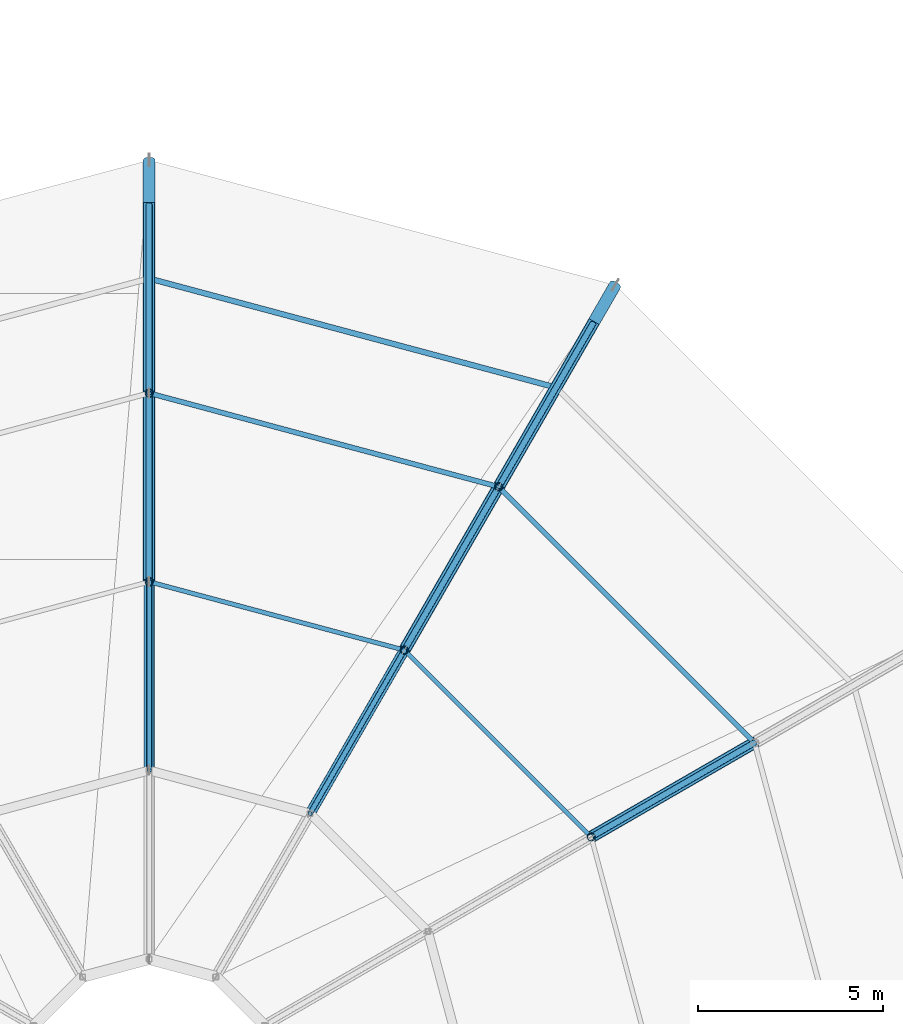
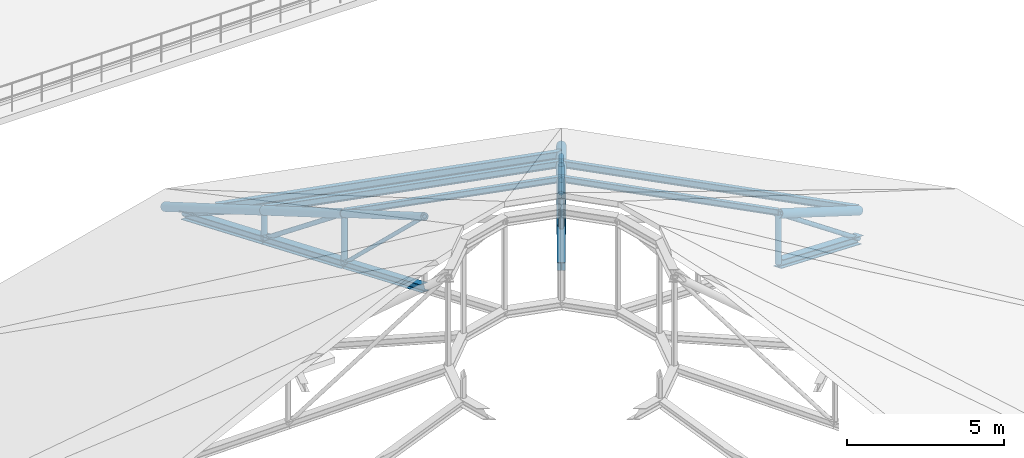
# One storey, part 25 of 58: 31 members.
"""IFC4 building model written with IfcOpenShell, lengths in metres."""

import ifcopenshell
import ifcopenshell.guid

model = None  # the IFC model being written
_history = None  # IfcOwnerHistory: only IFC2X3 demands one
_inside = {}  # id of a spatial element -> (the spatial element, [elements in it])
_under = {}  # id of a project, library or spatial element -> (it, [spatial elements below it])
_declared = {}  # id of a project -> (the project, [libraries it declares])
_typed = {}  # id of a type object -> (the type object, [elements of that type])
_made_of = {}  # id of a material, layer set ... -> (it, [elements and type objects made of it])


def new_model(schema):
    """Start an empty IFC model of exactly this schema.

    Asked for "IFC4X3", IfcOpenShell would pick the latest addendum, in which some entities
    have other attributes; the version numbers below select the first issue.
    IFC2X3 requires an IfcOwnerHistory on every rooted entity: one is made here for all.
    """
    global model, _history
    if schema == "IFC4X3":
        model = ifcopenshell.file(schema_version=(4, 3, 0, 0))
    else:
        model = ifcopenshell.file(schema=schema)
    _inside.clear()
    _under.clear()
    _declared.clear()
    _typed.clear()
    _made_of.clear()
    _history = None
    if model.schema == "IFC2X3":
        org = make("IfcOrganization", Name="unknown")
        user = make(
            "IfcPersonAndOrganization",
            ThePerson=make("IfcPerson", FamilyName="unknown"),
            TheOrganization=org,
        )
        app = make(
            "IfcApplication",
            ApplicationDeveloper=org,
            Version="unknown",
            ApplicationFullName="unknown",
            ApplicationIdentifier="unknown",
        )
        _history = make(
            "IfcOwnerHistory",
            OwningUser=user,
            OwningApplication=app,
            ChangeAction="ADDED",
            CreationDate=0,
        )
    return model


def make(cls, **values):
    """One entity of the class cls with the attributes given. An attribute that is None is left unset."""
    return model.create_entity(
        cls, **{name: value for name, value in values.items() if value is not None}
    )


def rooted(cls, **values):
    """An entity with a GlobalId (a new one), such as an element, a storey or a relation."""
    return make(cls, GlobalId=ifcopenshell.guid.new(), OwnerHistory=_history, **values)


def si_unit(unit_type, name, prefix=None):
    """IfcSIUnit, for example si_unit("LENGTHUNIT", "METRE", prefix="MILLI")."""
    return make("IfcSIUnit", UnitType=unit_type, Prefix=prefix, Name=name)


def derived_unit(unit_type, elements):
    """IfcDerivedUnit: a product of units, each with its exponent."""
    return make(
        "IfcDerivedUnit",
        Elements=[
            make("IfcDerivedUnitElement", Unit=unit, Exponent=power)
            for unit, power in elements
        ],
        UnitType=unit_type,
    )


def assignment(units):
    """IfcUnitAssignment: the units of a project."""
    return None if units is None else make("IfcUnitAssignment", Units=units)


def point(xyz):
    """IfcCartesianPoint."""
    return None if xyz is None else make("IfcCartesianPoint", Coordinates=xyz)


def direction(xyz):
    """IfcDirection."""
    return None if xyz is None else make("IfcDirection", DirectionRatios=xyz)


def frame(location, z_axis=None, x_axis=None):
    """IfcAxis2Placement3D, a coordinate frame: its origin and axes. An axis left out is left unset."""
    return make(
        "IfcAxis2Placement3D",
        Location=point(location),
        Axis=direction(z_axis),
        RefDirection=direction(x_axis),
    )


def frame_2d(location, x_axis=None):
    """IfcAxis2Placement2D, a coordinate frame in the plane: its origin and x axis."""
    return make(
        "IfcAxis2Placement2D", Location=point(location), RefDirection=direction(x_axis)
    )


def origin():
    """The frame at (0, 0, 0) with its axes left unset."""
    return frame((0.0, 0.0, 0.0))


def origin_2d():
    """The frame at (0, 0) in the plane with its x axis left unset."""
    return frame_2d((0.0, 0.0))


def place(relative_to, where):
    """IfcLocalPlacement: puts the frame where relative to a parent placement (None: the world)."""
    return make(
        "IfcLocalPlacement", PlacementRelTo=relative_to, RelativePlacement=where
    )


def context(
    kind, dimensions, precision=None, world=None, true_north=None, identifier=None
):
    """IfcGeometricRepresentationContext, for example the 3D "Model" context."""
    return make(
        "IfcGeometricRepresentationContext",
        ContextIdentifier=identifier,
        ContextType=kind,
        CoordinateSpaceDimension=dimensions,
        Precision=precision,
        WorldCoordinateSystem=world,
        TrueNorth=true_north,
    )


def subcontext(parent, identifier, kind, view, scale=None):
    """IfcGeometricRepresentationSubContext, for example "Body" below "Model"."""
    return make(
        "IfcGeometricRepresentationSubContext",
        ContextIdentifier=identifier,
        ContextType=kind,
        ParentContext=parent,
        TargetScale=scale,
        TargetView=view,
    )


def project(units=None, contexts=None):
    """IfcProject with its units and contexts."""
    return rooted(
        "IfcProject",
        Name="project",
        RepresentationContexts=contexts,
        UnitsInContext=assignment(units),
    )


def spatial(cls, under=None, at=None, **own):
    """A site, building, storey or space (cls), placed at a placement, below another one or the project."""
    s = rooted(cls, ObjectPlacement=at, **own)
    if under is not None:
        _under.setdefault(under.id(), (under, []))[1].append(s)
    return s


def profile(cls, at=None, kind="AREA", **sizes):
    """A parametric profile (cls). Its sizes go by their IFC names, for example OverallWidth=200.0."""
    return make(cls, ProfileType=kind, Position=at, **sizes)


def hollow_circle(**sizes):
    """IfcCircleHollowProfileDef."""
    return profile("IfcCircleHollowProfileDef", **sizes)


def i_section(**sizes):
    """IfcIShapeProfileDef."""
    return profile("IfcIShapeProfileDef", **sizes)


def extrude(swept, where, along, depth):
    """IfcExtrudedAreaSolid: the profile swept, set in the frame where, extruded along a direction by depth."""
    return make(
        "IfcExtrudedAreaSolid",
        SweptArea=swept,
        Position=where,
        ExtrudedDirection=direction(along),
        Depth=depth,
    )


def shape(context_of_items, identifier, shape_type, items):
    """IfcShapeRepresentation: the items that make up one representation, for example the "Body"."""
    return make(
        "IfcShapeRepresentation",
        ContextOfItems=context_of_items,
        RepresentationIdentifier=identifier,
        RepresentationType=shape_type,
        Items=items,
    )


def material(Name=None, Category=None):
    """IfcMaterial."""
    return make("IfcMaterial", Name=Name, Category=Category)


def material_profile(
    of_material, cross_section, Name=None, Category=None, Priority=None
):
    """IfcMaterialProfile: a cross section and its material."""
    return make(
        "IfcMaterialProfile",
        Name=Name,
        Material=of_material,
        Profile=cross_section,
        Priority=Priority,
        Category=Category,
    )


def profile_set(profiles, Name=None, composite=None):
    """IfcMaterialProfileSet."""
    return make(
        "IfcMaterialProfileSet",
        Name=Name,
        MaterialProfiles=profiles,
        CompositeProfile=composite,
    )


def made_of(thing, what):
    """Note that an element or type object is made of a material, layer set ...; save() writes the relation."""
    if what is not None:
        _made_of.setdefault(what.id(), (what, []))[1].append(thing)
    return thing


def type_object(cls, material=None, **own):
    """A type object (cls), such as IfcWallType, which elements share."""
    return made_of(rooted(cls, **own), material)


def element(
    cls,
    number,
    at=None,
    inside=None,
    cuts=None,
    type_object=None,
    material=None,
    context=None,
    identifier="Body",
    shape_type=None,
    held_by="IfcProductDefinitionShape",
    body=None,
    shapes=None,
    **own,
):
    """One element of the class cls, such as IfcWall. Its Tag is "e" and its number.

    at: its placement. inside: the storey or other place that contains it. cuts: it is an
    opening in that element (IfcRelVoidsElement). A single representation is given by context,
    identifier, shape_type and body (its items); several are given by shapes. held_by: the class
    of the entity that holds the representations. save() writes the other relations.
    """
    e = rooted(cls, Tag="e%d" % number, ObjectPlacement=at, **own)
    if body is not None:
        shapes = [shape(context, identifier, shape_type, body)]
    if shapes is not None:
        e.Representation = make(held_by, Representations=shapes)
    if inside is not None:
        _inside.setdefault(inside.id(), (inside, []))[1].append(e)
    if cuts is not None:
        rooted(
            "IfcRelVoidsElement", RelatingBuildingElement=cuts, RelatedOpeningElement=e
        )
    if type_object is not None:
        _typed.setdefault(type_object.id(), (type_object, []))[1].append(e)
    return made_of(e, material)


def aggregate(whole, parts):
    """IfcRelAggregates: a whole, such as a stair, and the parts it consists of."""
    return rooted("IfcRelAggregates", RelatingObject=whole, RelatedObjects=parts)


def save(model, path):
    """Write the relations noted so far, then the file.

    IfcRelAggregates (storeys below a building ...), IfcRelContainedInSpatialStructure (elements
    in a storey), IfcRelDefinesByType, IfcRelAssociatesMaterial and IfcRelDeclares: one each for
    every whole, place, type object, material and project.
    """
    for whole, parts in _under.values():
        aggregate(whole, parts)
    for where, things in _inside.values():
        rooted(
            "IfcRelContainedInSpatialStructure",
            RelatedElements=things,
            RelatingStructure=where,
        )
    for kind, things in _typed.values():
        rooted("IfcRelDefinesByType", RelatedObjects=things, RelatingType=kind)
    for what, things in _made_of.values():
        rooted("IfcRelAssociatesMaterial", RelatedObjects=things, RelatingMaterial=what)
    for by, libraries in _declared.values():
        rooted("IfcRelDeclares", RelatingContext=by, RelatedDefinitions=libraries)
    model.write(path)


model = new_model("IFC4")

# Units and contexts
model_context = context("Model", 3, precision=1e-05, world=origin(), true_north=direction((0.0, 1.0)))
body_context = subcontext(model_context, "Body", "Model", "MODEL_VIEW")
ifc_project = project(units=[si_unit("LENGTHUNIT", "METRE"), si_unit("AREAUNIT", "SQUARE_METRE"), si_unit("VOLUMEUNIT", "CUBIC_METRE"), si_unit("PLANEANGLEUNIT", "RADIAN"), si_unit("MASSUNIT", "GRAM", prefix="KILO"), derived_unit("THERMALTRANSMITTANCEUNIT", [(si_unit("POWERUNIT", "WATT"), 1), (si_unit("AREAUNIT", "SQUARE_METRE"), -1), (si_unit("THERMODYNAMICTEMPERATUREUNIT", "KELVIN"), -1)])], contexts=[model_context])

# Site, building, storey
site_placement = place(None, origin())
site = spatial("IfcSite", under=ifc_project, at=site_placement, CompositionType="ELEMENT")
building_placement = place(site_placement, origin())
building = spatial("IfcBuilding", under=site, at=building_placement, Name="Yasenodar Specialist Clinic", CompositionType="ELEMENT")
storey_placement = place(building_placement, frame((0.0, 0.0, 21.300048828125)))
storey = spatial("IfcBuildingStorey", under=building, at=storey_placement, Name="L05", CompositionType="ELEMENT", Elevation=21.300048828125)

# Members
ifc_material = material(Name="Steel S355", Category="steel")
ifc_material_profile_1 = material_profile(ifc_material, i_section(OverallWidth=0.1201171875, OverallDepth=0.239990234375, WebThickness=0.006103515625, FlangeThickness=0.009765625, FilletRadius=0.014892578125, at=origin_2d()), Name="IPE 240")
ifc_profile_set_1 = profile_set([ifc_material_profile_1], Name="Steel S355")
member_type_1 = type_object("IfcMemberType", Name="PR-IPE240", PredefinedType="PURLIN", material=ifc_profile_set_1)
member_1_placement = place(storey_placement, frame((92.951171875, 65.699951171875, 6.010009765625), z_axis=(-0.707106781187, 0.707106781187, 0.0), x_axis=(-0.707106781187, -0.707106781187, 0.0)))
element("IfcMember", 1, at=member_1_placement, inside=storey, type_object=member_type_1, Name="Drum Roof Concentric Purlin 3.02", PredefinedType="PURLIN", context=body_context, shape_type="SweptSolid", body=[
    extrude(i_section(OverallWidth=0.1201171875, OverallDepth=0.239990234375, WebThickness=0.006103515625, FlangeThickness=0.009765625, FilletRadius=0.014892578125, at=origin_2d()), origin(), (0.0, 0.0, 1.0), 7.1435546875),
])
member_2_placement = place(storey_placement, frame((87.89990234375, 70.751220703125, 6.010009765625), z_axis=(-0.965923947156, 0.258826058022, 0.0), x_axis=(-0.258826058022, -0.965923947156, 0.0)))
element("IfcMember", 2, at=member_2_placement, inside=storey, type_object=member_type_1, Name="Drum Roof Concentric Purlin 3.03", PredefinedType="PURLIN", context=body_context, shape_type="SweptSolid", body=[
    extrude(i_section(OverallWidth=0.1201171875, OverallDepth=0.239990234375, WebThickness=0.006103515625, FlangeThickness=0.009765625, FilletRadius=0.014892578125, at=origin_2d()), origin(), (0.0, 0.0, 1.0), 7.143310546875),
])
ifc_material_profile_2 = material_profile(ifc_material, i_section(OverallWidth=0.135009765625, OverallDepth=0.27001953125, WebThickness=0.006591796875, FlangeThickness=0.01025390625, FilletRadius=0.014892578125, at=origin_2d()), Name="IPE 270")
ifc_profile_set_2 = profile_set([ifc_material_profile_2], Name="Steel S355")
member_type_2 = type_object("IfcMemberType", Name="PR-IPE270", PredefinedType="PURLIN", material=ifc_profile_set_2)
member_3_placement = place(storey_placement, frame((97.367919921875, 68.25, 3.034912109375), z_axis=(-0.707106781187, 0.707106781187, 0.0), x_axis=(-0.707106781187, -0.707106781187, 0.0)))
element("IfcMember", 3, at=member_3_placement, inside=storey, type_object=member_type_2, Name="Drum Roof Concentric Purlin 2.02", PredefinedType="PURLIN", context=body_context, shape_type="SweptSolid", body=[
    extrude(i_section(OverallWidth=0.135009765625, OverallDepth=0.27001953125, WebThickness=0.006591796875, FlangeThickness=0.01025390625, FilletRadius=0.014892578125, at=origin_2d()), origin(), (0.0, 0.0, 1.0), 9.783447265625),
])
member_4_placement = place(storey_placement, frame((90.449951171875, 75.16796875, 3.034912109375), z_axis=(-0.965929004168, 0.258807184805, 0.0), x_axis=(-0.258807184805, -0.965929004168, 0.0)))
element("IfcMember", 4, at=member_4_placement, inside=storey, type_object=member_type_2, Name="Drum Roof Concentric Purlin 2.03", PredefinedType="PURLIN", context=body_context, shape_type="SweptSolid", body=[
    extrude(i_section(OverallWidth=0.135009765625, OverallDepth=0.27001953125, WebThickness=0.006591796875, FlangeThickness=0.01025390625, FilletRadius=0.014892578125, at=origin_2d()), origin(), (0.0, 0.0, 1.0), 9.783203125),
])
ifc_material_profile_3 = material_profile(ifc_material, i_section(OverallWidth=0.14990234375, OverallDepth=0.300048828125, WebThickness=0.007080078125, FlangeThickness=0.0107421875, FilletRadius=0.014892578125, at=origin_2d()), Name="IPE 300")
ifc_profile_set_3 = profile_set([ifc_material_profile_3], Name="Steel S355")
member_type_3 = type_object("IfcMemberType", Name="PR-IPE300", PredefinedType="PURLIN", material=ifc_profile_set_3)
member_5_placement = place(storey_placement, frame((92.0, 77.8525390625, 1.2265625), z_axis=(-0.965924319236, 0.258824669437, 0.0), x_axis=(-0.258824669437, -0.965924319236, 0.0)))
element("IfcMember", 5, at=member_5_placement, inside=storey, type_object=member_type_3, Name="Drum Roof Concentric Purlin 1.03", PredefinedType="PURLIN", context=body_context, shape_type="SweptSolid", body=[
    extrude(i_section(OverallWidth=0.14990234375, OverallDepth=0.300048828125, WebThickness=0.007080078125, FlangeThickness=0.0107421875, FilletRadius=0.014892578125, at=origin_2d()), origin(), (0.0, 0.0, 1.0), 11.387939453125),
])
ifc_material_profile_4 = material_profile(ifc_material, hollow_circle(Radius=0.06982421875, WallThickness=0.00634765625, at=origin_2d()), Name="CHS 139.7x6.3")
ifc_profile_set_4 = profile_set([ifc_material_profile_4], Name="Steel S355")
member_type_4 = type_object("IfcMemberType", Name="TR-BRC-CHS139", PredefinedType="BRACE", material=ifc_profile_set_4)
member_6_placement = place(storey_placement, frame((87.89990234375, 70.751220703125, 4.02490234375), z_axis=(-0.360522566873, -0.624493848841, 0.692842631147), x_axis=(0.866042892689, -0.499969707105, 0.0)))
element("IfcMember", 6, at=member_6_placement, inside=storey, type_object=member_type_4, Name="Drum Roof Truss 03 Web Diagonal 3", PredefinedType="BRACE", context=body_context, shape_type="SweptSolid", body=[
    extrude(hollow_circle(Radius=0.06982421875, WallThickness=0.00634765625, at=origin_2d()), origin(), (0.0, 0.0, 1.0), 7.072509765625),
])
member_7_placement = place(storey_placement, frame((81.0, 72.60009765625, 4.02490234375), z_axis=(0.0, -0.721100990621, 0.692829965666), x_axis=(1.0, 0.0, 0.0)))
element("IfcMember", 7, at=member_7_placement, inside=storey, type_object=member_type_4, Name="Drum Roof Truss 04 Web Diagonal 3", PredefinedType="BRACE", context=body_context, shape_type="SweptSolid", body=[
    extrude(hollow_circle(Radius=0.06982421875, WallThickness=0.00634765625, at=origin_2d()), origin(), (0.0, 0.0, 1.0), 7.07275390625),
])
ifc_material_profile_5 = material_profile(ifc_material, hollow_circle(Radius=0.084228515625, WallThickness=0.008056640625, at=origin_2d()), Name="CHS 168.3x8")
ifc_profile_set_5 = profile_set([ifc_material_profile_5], Name="Steel S355")
member_type_5 = type_object("IfcMemberType", Name="TR-BRC-CHS168", PredefinedType="BRACE", material=ifc_profile_set_5)
member_8_placement = place(storey_placement, frame((97.367919921875, 68.25, 1.887451171875), z_axis=(-0.677384124883, -0.391093758466, 0.623054106354), x_axis=(0.500005610874, -0.86602216432, 0.0)))
element("IfcMember", 8, at=member_8_placement, inside=storey, type_object=member_type_5, Name="Drum Roof Truss 02 Web Diagonal 2", PredefinedType="BRACE", context=body_context, shape_type="SweptSolid", body=[
    extrude(hollow_circle(Radius=0.084228515625, WallThickness=0.008056640625, at=origin_2d()), origin(), (0.0, 0.0, 1.0), 6.520263671875),
])
member_9_placement = place(storey_placement, frame((93.0, 79.584716796875, -0.25), z_axis=(-0.422607893936, -0.731967391976, 0.534440179128), x_axis=(0.86602216432, -0.500005610874, 0.0)))
element("IfcMember", 9, at=member_9_placement, inside=storey, type_object=member_type_5, Name="Drum Roof Truss 03 Web Diagonal 1", PredefinedType="BRACE", context=body_context, shape_type="SweptSolid", body=[
    extrude(hollow_circle(Radius=0.084228515625, WallThickness=0.008056640625, at=origin_2d()), origin(), (0.0, 0.0, 1.0), 6.0341796875),
])
member_10_placement = place(storey_placement, frame((90.449951171875, 75.16796875, 1.887451171875), z_axis=(-0.391093758466, -0.677384124883, 0.623054106354), x_axis=(0.86602216432, -0.500005610874, 0.0)))
element("IfcMember", 10, at=member_10_placement, inside=storey, type_object=member_type_5, Name="Drum Roof Truss 03 Web Diagonal 2", PredefinedType="BRACE", context=body_context, shape_type="SweptSolid", body=[
    extrude(hollow_circle(Radius=0.084228515625, WallThickness=0.008056640625, at=origin_2d()), origin(), (0.0, 0.0, 1.0), 6.520263671875),
])
member_11_placement = place(storey_placement, frame((81.0, 82.800048828125, -0.25), z_axis=(0.0, -0.845209012224, 0.534435894804), x_axis=(1.0, 0.0, 0.0)))
element("IfcMember", 11, at=member_11_placement, inside=storey, type_object=member_type_5, Name="Drum Roof Truss 04 Web Diagonal 1", PredefinedType="BRACE", context=body_context, shape_type="SweptSolid", body=[
    extrude(hollow_circle(Radius=0.084228515625, WallThickness=0.008056640625, at=origin_2d()), origin(), (0.0, 0.0, 1.0), 6.0341796875),
])
member_12_placement = place(storey_placement, frame((81.0, 77.699951171875, 1.887451171875), z_axis=(0.0, -0.782167611206, 0.623068076522), x_axis=(1.0, 0.0, 0.0)))
element("IfcMember", 12, at=member_12_placement, inside=storey, type_object=member_type_5, Name="Drum Roof Truss 04 Web Diagonal 2", PredefinedType="BRACE", context=body_context, shape_type="SweptSolid", body=[
    extrude(hollow_circle(Radius=0.084228515625, WallThickness=0.008056640625, at=origin_2d()), origin(), (0.0, 0.0, 1.0), 6.520263671875),
])
ifc_material_profile_6 = material_profile(ifc_material, hollow_circle(Radius=0.136474609375, WallThickness=0.012451171875, at=origin_2d()), Name="CHS 273x12.5")
ifc_profile_set_6 = profile_set([ifc_material_profile_6], Name="Steel S355")
member_type_6 = type_object("IfcMemberType", Name="TR-CHD-CHS273", PredefinedType="CHORD", material=ifc_profile_set_6)
member_13_placement = place(storey_placement, frame((87.89990234375, 70.751220703125, 5.949951171875), z_axis=(-0.431857929617, -0.748060303017, 0.503889384366), x_axis=(0.866042892689, -0.499969707105, 0.0)))
element("IfcMember", 13, at=member_13_placement, inside=storey, type_object=member_type_6, Name="Drum Roof Truss 03 Top Chord 3", PredefinedType="CHORD", context=body_context, shape_type="SweptSolid", body=[
    extrude(hollow_circle(Radius=0.136474609375, WallThickness=0.012451171875, at=origin_2d()), origin(), (0.0, 0.0, 1.0), 5.904296875),
])
member_14_placement = place(storey_placement, frame((81.0, 72.60009765625, 5.949951171875), z_axis=(0.0, -0.86377590149, 0.503876167332), x_axis=(1.0, 0.0, 0.0)))
element("IfcMember", 14, at=member_14_placement, inside=storey, type_object=member_type_6, Name="Drum Roof Truss 04 Top Chord 3", PredefinedType="CHORD", context=body_context, shape_type="SweptSolid", body=[
    extrude(hollow_circle(Radius=0.136474609375, WallThickness=0.012451171875, at=origin_2d()), origin(), (0.0, 0.0, 1.0), 5.904541015625),
])
ifc_material_profile_7 = material_profile(ifc_material, hollow_circle(Radius=0.161865234375, WallThickness=0.01611328125, at=origin_2d()), Name="CHS 323.9x16")
ifc_profile_set_7 = profile_set([ifc_material_profile_7], Name="Steel S355")
member_type_7 = type_object("IfcMemberType", Name="TR-CHD-CHS324", PredefinedType="CHORD", material=ifc_profile_set_7)
member_15_placement = place(storey_placement, frame((97.367919921875, 68.25, 2.974853515625), z_axis=(-0.748046944425, -0.431891566774, 0.50388038609), x_axis=(0.500005610874, -0.86602216432, 0.0)))
element("IfcMember", 15, at=member_15_placement, inside=storey, type_object=member_type_7, Name="Drum Roof Truss 02 Top Chord 2", PredefinedType="CHORD", context=body_context, shape_type="SweptSolid", body=[
    extrude(hollow_circle(Radius=0.161865234375, WallThickness=0.01611328125, at=origin_2d()), origin(), (0.0, 0.0, 1.0), 5.904296875),
])
member_16_placement = place(storey_placement, frame((93.60009765625, 80.623779296875, -0.699951171875), z_axis=(-0.431918238356, -0.748049048481, 0.503854400042), x_axis=(0.866009402589, -0.500027713859, 0.0)))
element("IfcMember", 16, at=member_16_placement, inside=storey, type_object=member_type_7, Name="Drum Roof Truss 03 Top Chord 1", PredefinedType="CHORD", context=body_context, shape_type="SweptSolid", body=[
    extrude(hollow_circle(Radius=0.161865234375, WallThickness=0.01611328125, at=origin_2d()), origin(), (0.0, 0.0, 1.0), 7.29345703125),
])
member_17_placement = place(storey_placement, frame((90.449951171875, 75.16796875, 2.974853515625), z_axis=(-0.431891566774, -0.748046944425, 0.50388038609), x_axis=(0.86602216432, -0.500005610874, 0.0)))
element("IfcMember", 17, at=member_17_placement, inside=storey, type_object=member_type_7, Name="Drum Roof Truss 03 Top Chord 2", PredefinedType="CHORD", context=body_context, shape_type="SweptSolid", body=[
    extrude(hollow_circle(Radius=0.161865234375, WallThickness=0.01611328125, at=origin_2d()), origin(), (0.0, 0.0, 1.0), 5.904296875),
])
member_18_placement = place(storey_placement, frame((81.0, 84.0, -0.699951171875), z_axis=(0.0, -0.86379225544, 0.503848131327), x_axis=(1.0, 0.0, 0.0)))
element("IfcMember", 18, at=member_18_placement, inside=storey, type_object=member_type_7, Name="Drum Roof Truss 04 Top Chord 1", PredefinedType="CHORD", context=body_context, shape_type="SweptSolid", body=[
    extrude(hollow_circle(Radius=0.161865234375, WallThickness=0.01611328125, at=origin_2d()), origin(), (0.0, 0.0, 1.0), 7.29345703125),
])
member_19_placement = place(storey_placement, frame((81.0, 77.699951171875, 2.974853515625), z_axis=(0.0, -0.863765402838, 0.503894164344), x_axis=(1.0, 0.0, 0.0)))
element("IfcMember", 19, at=member_19_placement, inside=storey, type_object=member_type_7, Name="Drum Roof Truss 04 Top Chord 2", PredefinedType="CHORD", context=body_context, shape_type="SweptSolid", body=[
    extrude(hollow_circle(Radius=0.161865234375, WallThickness=0.01611328125, at=origin_2d()), origin(), (0.0, 0.0, 1.0), 5.904296875),
])
ifc_material_profile_8 = material_profile(ifc_material, i_section(OverallWidth=0.280029296875, OverallDepth=0.27001953125, WebThickness=0.008056640625, FlangeThickness=0.012939453125, FilletRadius=0.02392578125, at=origin_2d()), Name="HEA 280")
ifc_profile_set_8 = profile_set([ifc_material_profile_8], Name="Steel S355")
member_type_8 = type_object("IfcMemberType", Name="TR-CHD-HEA280", PredefinedType="CHORD", material=ifc_profile_set_8)
for number, where, z_axis, x_axis, name in (
    (20, (87.89990234375, 70.751220703125, 4.02490234375), (-0.461108722296, -0.798728254984, 0.3865383822), (0.866042892689, -0.499969707105, 0.0), "Drum Roof Truss 03 Bottom Chord 3"),
    (21, (81.0, 72.60009765625, 4.02490234375), (0.0, -0.92227816564, 0.386526823369), (1.0, 0.0, 0.0), "Drum Roof Truss 04 Bottom Chord 3"),
):
    element("IfcMember", number, at=place(storey_placement, frame(where, z_axis=z_axis, x_axis=x_axis)), inside=storey, type_object=member_type_8, Name=name, PredefinedType="CHORD", context=body_context, shape_type="SweptSolid", body=[
        extrude(i_section(OverallWidth=0.280029296875, OverallDepth=0.27001953125, WebThickness=0.008056640625, FlangeThickness=0.012939453125, FilletRadius=0.02392578125, at=origin_2d()), origin(), (0.0, 0.0, 1.0), 5.52978515625),
    ])
ifc_material_profile_9 = material_profile(ifc_material, i_section(OverallWidth=0.300048828125, OverallDepth=0.300048828125, WebThickness=0.010986328125, FlangeThickness=0.01904296875, FilletRadius=0.027099609375, at=origin_2d()), Name="HEB 300")
ifc_profile_set_9 = profile_set([ifc_material_profile_9], Name="Steel S355")
member_type_9 = type_object("IfcMemberType", Name="TR-CHD-HEB300", PredefinedType="CHORD", material=ifc_profile_set_9)
for number, where, z_axis, x_axis, name in (
    (22, (97.367919921875, 68.25, 1.887451171875), (-0.798711994016, -0.461143484467, 0.38653051283), (0.500005610874, -0.86602216432, 0.0), "Drum Roof Truss 02 Bottom Chord 2"),
    (23, (93.0, 79.584716796875, -0.25), (-0.461143484467, -0.798711994016, 0.38653051283), (0.86602216432, -0.500005610874, 0.0), "Drum Roof Truss 03 Bottom Chord 1"),
    (24, (90.449951171875, 75.16796875, 1.887451171875), (-0.461143484467, -0.798711994016, 0.38653051283), (0.86602216432, -0.500005610874, 0.0), "Drum Roof Truss 03 Bottom Chord 2"),
    (25, (81.0, 82.800048828125, -0.25), (0.0, -0.92227816564, 0.386526823369), (1.0, 0.0, 0.0), "Drum Roof Truss 04 Bottom Chord 1"),
    (26, (81.0, 77.699951171875, 1.887451171875), (0.0, -0.922271569205, 0.386542562516), (1.0, 0.0, 0.0), "Drum Roof Truss 04 Bottom Chord 2"),
):
    element("IfcMember", number, at=place(storey_placement, frame(where, z_axis=z_axis, x_axis=x_axis)), inside=storey, type_object=member_type_9, Name=name, PredefinedType="CHORD", context=body_context, shape_type="SweptSolid", body=[
        extrude(i_section(OverallWidth=0.300048828125, OverallDepth=0.300048828125, WebThickness=0.010986328125, FlangeThickness=0.01904296875, FilletRadius=0.027099609375, at=origin_2d()), origin(), (0.0, 0.0, 1.0), 5.52978515625),
    ])
ifc_material_profile_10 = material_profile(ifc_material, hollow_circle(Radius=0.109619140625, WallThickness=0.010009765625, at=origin_2d()), Name="CHS 219.1x10")
ifc_profile_set_10 = profile_set([ifc_material_profile_10], Name="Steel S355")
member_type_10 = type_object("IfcMemberType", Name="TR-STR-CHS219", PredefinedType="STRUT", material=ifc_profile_set_10)
member_20_placement = place(storey_placement, frame((92.951171875, 65.699951171875, 4.02490234375), z_axis=(0.0, 0.0, 1.0), x_axis=(1.0, 0.0, 0.0)))
element("IfcMember", 27, at=member_20_placement, inside=storey, type_object=member_type_10, Name="Drum Roof Truss 02 Strut 2", PredefinedType="STRUT", context=body_context, shape_type="SweptSolid", body=[
    extrude(hollow_circle(Radius=0.109619140625, WallThickness=0.010009765625, at=origin_2d()), origin(), (0.0, 0.0, 1.0), 1.925048828125),
])
member_21_placement = place(storey_placement, frame((90.449951171875, 75.16796875, 1.887451171875), z_axis=(0.0, 0.0, 1.0), x_axis=(1.0, 0.0, 0.0)))
element("IfcMember", 28, at=member_21_placement, inside=storey, type_object=member_type_10, Name="Drum Roof Truss 03 Strut 1", PredefinedType="STRUT", context=body_context, shape_type="SweptSolid", body=[
    extrude(hollow_circle(Radius=0.109619140625, WallThickness=0.010009765625, at=origin_2d()), origin(), (0.0, 0.0, 1.0), 1.08740234375),
])
member_22_placement = place(storey_placement, frame((87.89990234375, 70.751220703125, 4.02490234375), z_axis=(0.0, 0.0, 1.0), x_axis=(1.0, 0.0, 0.0)))
element("IfcMember", 29, at=member_22_placement, inside=storey, type_object=member_type_10, Name="Drum Roof Truss 03 Strut 2", PredefinedType="STRUT", context=body_context, shape_type="SweptSolid", body=[
    extrude(hollow_circle(Radius=0.109619140625, WallThickness=0.010009765625, at=origin_2d()), origin(), (0.0, 0.0, 1.0), 1.925048828125),
])
member_23_placement = place(storey_placement, frame((81.0, 77.699951171875, 1.887451171875), z_axis=(0.0, 0.0, 1.0), x_axis=(1.0, 0.0, 0.0)))
element("IfcMember", 30, at=member_23_placement, inside=storey, type_object=member_type_10, Name="Drum Roof Truss 04 Strut 1", PredefinedType="STRUT", context=body_context, shape_type="SweptSolid", body=[
    extrude(hollow_circle(Radius=0.109619140625, WallThickness=0.010009765625, at=origin_2d()), origin(), (0.0, 0.0, 1.0), 1.08740234375),
])
member_24_placement = place(storey_placement, frame((81.0, 72.60009765625, 4.02490234375), z_axis=(0.0, 0.0, 1.0), x_axis=(1.0, 0.0, 0.0)))
element("IfcMember", 31, at=member_24_placement, inside=storey, type_object=member_type_10, Name="Drum Roof Truss 04 Strut 2", PredefinedType="STRUT", context=body_context, shape_type="SweptSolid", body=[
    extrude(hollow_circle(Radius=0.109619140625, WallThickness=0.010009765625, at=origin_2d()), origin(), (0.0, 0.0, 1.0), 1.925048828125),
])

save(model, "model.ifc")
